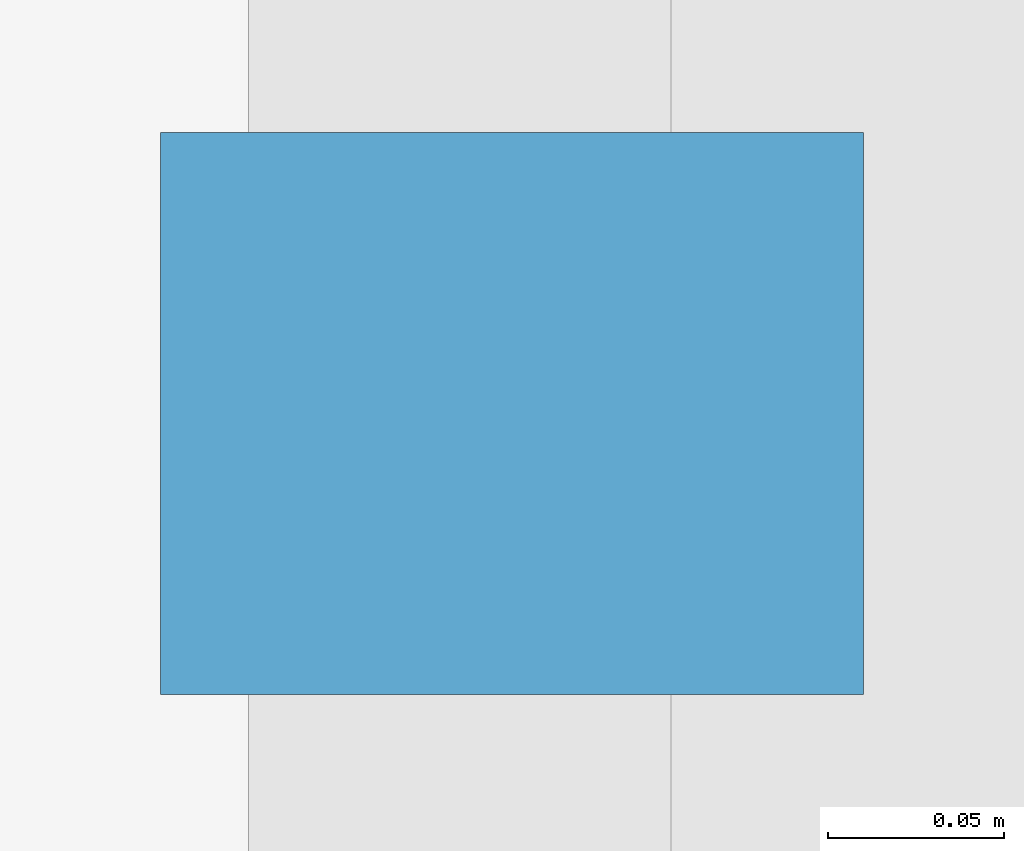
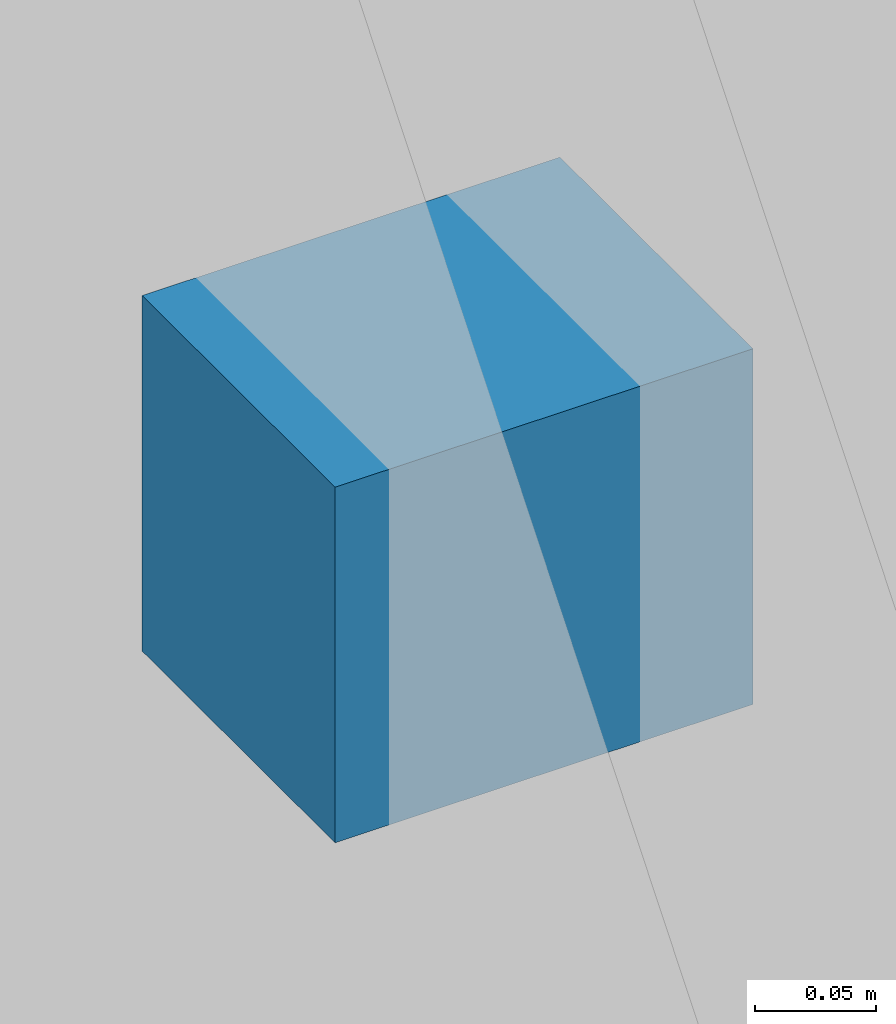
# One storey, part 14 of 18: 1 discrete accessory.
"""IFC4 building model written with IfcOpenShell, lengths in metres."""

import ifcopenshell
import ifcopenshell.guid

model = None  # the IFC model being written
_history = None  # IfcOwnerHistory: only IFC2X3 demands one
_inside = {}  # id of a spatial element -> (the spatial element, [elements in it])
_under = {}  # id of a project, library or spatial element -> (it, [spatial elements below it])
_declared = {}  # id of a project -> (the project, [libraries it declares])
_typed = {}  # id of a type object -> (the type object, [elements of that type])
_made_of = {}  # id of a material, layer set ... -> (it, [elements and type objects made of it])


def new_model(schema):
    """Start an empty IFC model of exactly this schema.

    Asked for "IFC4X3", IfcOpenShell would pick the latest addendum, in which some entities
    have other attributes; the version numbers below select the first issue.
    IFC2X3 requires an IfcOwnerHistory on every rooted entity: one is made here for all.
    """
    global model, _history
    if schema == "IFC4X3":
        model = ifcopenshell.file(schema_version=(4, 3, 0, 0))
    else:
        model = ifcopenshell.file(schema=schema)
    _inside.clear()
    _under.clear()
    _declared.clear()
    _typed.clear()
    _made_of.clear()
    _history = None
    if model.schema == "IFC2X3":
        org = make("IfcOrganization", Name="unknown")
        user = make(
            "IfcPersonAndOrganization",
            ThePerson=make("IfcPerson", FamilyName="unknown"),
            TheOrganization=org,
        )
        app = make(
            "IfcApplication",
            ApplicationDeveloper=org,
            Version="unknown",
            ApplicationFullName="unknown",
            ApplicationIdentifier="unknown",
        )
        _history = make(
            "IfcOwnerHistory",
            OwningUser=user,
            OwningApplication=app,
            ChangeAction="ADDED",
            CreationDate=0,
        )
    return model


def make(cls, **values):
    """One entity of the class cls with the attributes given. An attribute that is None is left unset."""
    return model.create_entity(
        cls, **{name: value for name, value in values.items() if value is not None}
    )


def rooted(cls, **values):
    """An entity with a GlobalId (a new one), such as an element, a storey or a relation."""
    return make(cls, GlobalId=ifcopenshell.guid.new(), OwnerHistory=_history, **values)


def si_unit(unit_type, name, prefix=None):
    """IfcSIUnit, for example si_unit("LENGTHUNIT", "METRE", prefix="MILLI")."""
    return make("IfcSIUnit", UnitType=unit_type, Prefix=prefix, Name=name)


def assignment(units):
    """IfcUnitAssignment: the units of a project."""
    return None if units is None else make("IfcUnitAssignment", Units=units)


def point(xyz):
    """IfcCartesianPoint."""
    return None if xyz is None else make("IfcCartesianPoint", Coordinates=xyz)


def direction(xyz):
    """IfcDirection."""
    return None if xyz is None else make("IfcDirection", DirectionRatios=xyz)


def frame(location, z_axis=None, x_axis=None):
    """IfcAxis2Placement3D, a coordinate frame: its origin and axes. An axis left out is left unset."""
    return make(
        "IfcAxis2Placement3D",
        Location=point(location),
        Axis=direction(z_axis),
        RefDirection=direction(x_axis),
    )


def frame_2d(location, x_axis=None):
    """IfcAxis2Placement2D, a coordinate frame in the plane: its origin and x axis."""
    return make(
        "IfcAxis2Placement2D", Location=point(location), RefDirection=direction(x_axis)
    )


def origin():
    """The frame at (0, 0, 0) with its axes left unset."""
    return frame((0.0, 0.0, 0.0))


def origin_2d():
    """The frame at (0, 0) in the plane with its x axis left unset."""
    return frame_2d((0.0, 0.0))


def place(relative_to, where):
    """IfcLocalPlacement: puts the frame where relative to a parent placement (None: the world)."""
    return make(
        "IfcLocalPlacement", PlacementRelTo=relative_to, RelativePlacement=where
    )


def context(
    kind, dimensions, precision=None, world=None, true_north=None, identifier=None
):
    """IfcGeometricRepresentationContext, for example the 3D "Model" context."""
    return make(
        "IfcGeometricRepresentationContext",
        ContextIdentifier=identifier,
        ContextType=kind,
        CoordinateSpaceDimension=dimensions,
        Precision=precision,
        WorldCoordinateSystem=world,
        TrueNorth=true_north,
    )


def subcontext(parent, identifier, kind, view, scale=None):
    """IfcGeometricRepresentationSubContext, for example "Body" below "Model"."""
    return make(
        "IfcGeometricRepresentationSubContext",
        ContextIdentifier=identifier,
        ContextType=kind,
        ParentContext=parent,
        TargetScale=scale,
        TargetView=view,
    )


def project(units=None, contexts=None):
    """IfcProject with its units and contexts."""
    return rooted(
        "IfcProject",
        Name="project",
        RepresentationContexts=contexts,
        UnitsInContext=assignment(units),
    )


def spatial(cls, under=None, at=None, **own):
    """A site, building, storey or space (cls), placed at a placement, below another one or the project."""
    s = rooted(cls, ObjectPlacement=at, **own)
    if under is not None:
        _under.setdefault(under.id(), (under, []))[1].append(s)
    return s


def profile(cls, at=None, kind="AREA", **sizes):
    """A parametric profile (cls). Its sizes go by their IFC names, for example OverallWidth=200.0."""
    return make(cls, ProfileType=kind, Position=at, **sizes)


def rectangle(**sizes):
    """IfcRectangleProfileDef."""
    return profile("IfcRectangleProfileDef", **sizes)


def extrude(swept, where, along, depth):
    """IfcExtrudedAreaSolid: the profile swept, set in the frame where, extruded along a direction by depth."""
    return make(
        "IfcExtrudedAreaSolid",
        SweptArea=swept,
        Position=where,
        ExtrudedDirection=direction(along),
        Depth=depth,
    )


def shape(context_of_items, identifier, shape_type, items):
    """IfcShapeRepresentation: the items that make up one representation, for example the "Body"."""
    return make(
        "IfcShapeRepresentation",
        ContextOfItems=context_of_items,
        RepresentationIdentifier=identifier,
        RepresentationType=shape_type,
        Items=items,
    )


def material(Name=None, Category=None):
    """IfcMaterial."""
    return make("IfcMaterial", Name=Name, Category=Category)


def made_of(thing, what):
    """Note that an element or type object is made of a material, layer set ...; save() writes the relation."""
    if what is not None:
        _made_of.setdefault(what.id(), (what, []))[1].append(thing)
    return thing


def type_object(cls, material=None, **own):
    """A type object (cls), such as IfcWallType, which elements share."""
    return made_of(rooted(cls, **own), material)


def element(
    cls,
    number,
    at=None,
    inside=None,
    cuts=None,
    type_object=None,
    material=None,
    context=None,
    identifier="Body",
    shape_type=None,
    held_by="IfcProductDefinitionShape",
    body=None,
    shapes=None,
    **own,
):
    """One element of the class cls, such as IfcWall. Its Tag is "e" and its number.

    at: its placement. inside: the storey or other place that contains it. cuts: it is an
    opening in that element (IfcRelVoidsElement). A single representation is given by context,
    identifier, shape_type and body (its items); several are given by shapes. held_by: the class
    of the entity that holds the representations. save() writes the other relations.
    """
    e = rooted(cls, Tag="e%d" % number, ObjectPlacement=at, **own)
    if body is not None:
        shapes = [shape(context, identifier, shape_type, body)]
    if shapes is not None:
        e.Representation = make(held_by, Representations=shapes)
    if inside is not None:
        _inside.setdefault(inside.id(), (inside, []))[1].append(e)
    if cuts is not None:
        rooted(
            "IfcRelVoidsElement", RelatingBuildingElement=cuts, RelatedOpeningElement=e
        )
    if type_object is not None:
        _typed.setdefault(type_object.id(), (type_object, []))[1].append(e)
    return made_of(e, material)


def aggregate(whole, parts):
    """IfcRelAggregates: a whole, such as a stair, and the parts it consists of."""
    return rooted("IfcRelAggregates", RelatingObject=whole, RelatedObjects=parts)


def save(model, path):
    """Write the relations noted so far, then the file.

    IfcRelAggregates (storeys below a building ...), IfcRelContainedInSpatialStructure (elements
    in a storey), IfcRelDefinesByType, IfcRelAssociatesMaterial and IfcRelDeclares: one each for
    every whole, place, type object, material and project.
    """
    for whole, parts in _under.values():
        aggregate(whole, parts)
    for where, things in _inside.values():
        rooted(
            "IfcRelContainedInSpatialStructure",
            RelatedElements=things,
            RelatingStructure=where,
        )
    for kind, things in _typed.values():
        rooted("IfcRelDefinesByType", RelatedObjects=things, RelatingType=kind)
    for what, things in _made_of.values():
        rooted("IfcRelAssociatesMaterial", RelatedObjects=things, RelatingMaterial=what)
    for by, libraries in _declared.values():
        rooted("IfcRelDeclares", RelatingContext=by, RelatedDefinitions=libraries)
    model.write(path)


model = new_model("IFC4")

# Units and contexts
model_context = context("Model", 3, precision=1e-05, world=origin(), true_north=direction((0.0, 1.0)))
body_context = subcontext(model_context, "Body", "Model", "MODEL_VIEW")
ifc_project = project(units=[si_unit("LENGTHUNIT", "METRE"), si_unit("AREAUNIT", "SQUARE_METRE"), si_unit("VOLUMEUNIT", "CUBIC_METRE"), si_unit("PLANEANGLEUNIT", "RADIAN"), si_unit("MASSUNIT", "GRAM", prefix="KILO")], contexts=[model_context])

# Site, building, storey
site_placement = place(None, origin())
site = spatial("IfcSite", under=ifc_project, at=site_placement, CompositionType="ELEMENT")
building_placement = place(site_placement, origin())
building = spatial("IfcBuilding", under=site, at=building_placement, Name="Koriwani Terraces Tower", CompositionType="ELEMENT")
storey_placement = place(building_placement, frame((0.0, 0.0, 100.0)))
storey = spatial("IfcBuildingStorey", under=building, at=storey_placement, Name="L23", CompositionType="ELEMENT", Elevation=100.0)

# Discrete accessory
ifc_material = material(Name="Steel ASTM A572 Grade 50", Category="steel")
discrete_accessory_type = type_object("IfcDiscreteAccessoryType", Name="BAGUETTE_STANDOFF_BRACKET", PredefinedType="BRACKET", material=ifc_material)
discrete_accessory_placement = place(storey_placement, frame((33.2099609375, 71.39990234375, 1.68505859375), z_axis=(0.0, 0.0, 1.0), x_axis=(0.0, -1.0, 0.0)))
element("IfcDiscreteAccessory", 1, at=discrete_accessory_placement, inside=storey, type_object=discrete_accessory_type, Name="L23 Terracotta Baguette Bracket (NW_IN-14)", PredefinedType="BRACKET", context=body_context, shape_type="SweptSolid", body=[
    extrude(rectangle(XDim=0.159912109375, YDim=0.199951171875, at=origin_2d()), origin(), (0.0, 0.0, 1.0), 0.179931640625),
])

save(model, "model.ifc")
